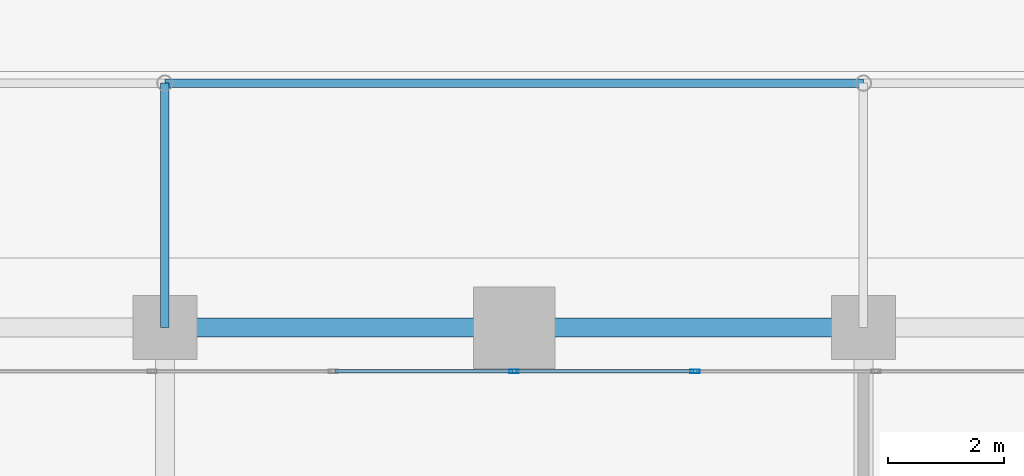
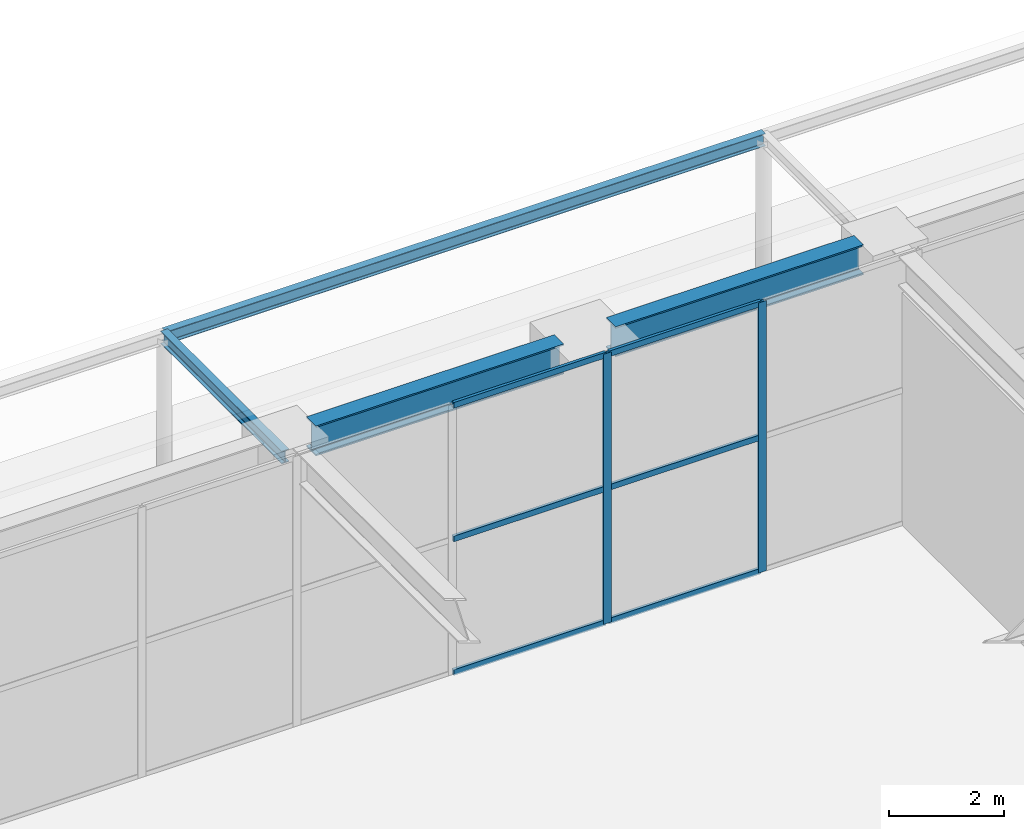
# One storey, part 26 of 49: 8 members, 4 beams, 1 element without a shape of its own.
"""IFC4 building model written with IfcOpenShell, lengths in metres."""

from ifc_helpers import new_model, si_unit, direction, frame, origin, origin_2d, place, context, subcontext, project, spatial, hollow_rectangle, i_section, extrude, material, layer, layer_set, material_profile, profile_set, type_object, element, aggregate, save


model = new_model("IFC4")

# Units and contexts
model_context = context("Model", 3, precision=1e-05, world=origin(), true_north=direction((0.0, 1.0)))
body_context = subcontext(model_context, "Body", "Model", "MODEL_VIEW")
ifc_project = project(units=[si_unit("LENGTHUNIT", "METRE"), si_unit("AREAUNIT", "SQUARE_METRE"), si_unit("VOLUMEUNIT", "CUBIC_METRE"), si_unit("PLANEANGLEUNIT", "RADIAN"), si_unit("MASSUNIT", "GRAM", prefix="KILO")], contexts=[model_context])

# Site, building, storey
site_placement = place(None, origin())
site = spatial("IfcSite", under=ifc_project, at=site_placement, CompositionType="ELEMENT")
building_placement = place(site_placement, origin())
building = spatial("IfcBuilding", under=site, at=building_placement, Name="Sarneth Arch Tower", CompositionType="ELEMENT")
storey_placement = place(building_placement, origin())
storey = spatial("IfcBuildingStorey", under=building, at=storey_placement, Name="L00", CompositionType="ELEMENT", Elevation=0.0)

# Beams
ifc_material_1 = material(Name="Steel S355", Category="steel")
ifc_material_profile_1 = material_profile(ifc_material_1, i_section(OverallWidth=0.14794921875, OverallDepth=0.26611328125, WebThickness=0.007568359375, FlangeThickness=0.012939453125, FilletRadius=0.012939453125, at=origin_2d()), Name="W250x44.8")
ifc_profile_set_1 = profile_set([ifc_material_profile_1], Name="Steel S355")
beam_type_1 = type_object("IfcBeamType", Name="BM-JOIST-250", PredefinedType="JOIST", material=ifc_profile_set_1)
beam_1_placement = place(storey_placement, frame((42.0, 74.800048828125, 5.159912109375), z_axis=(0.0, 1.0, 0.0), x_axis=(-1.0, 0.0, 0.0)))
element("IfcBeam", 1, at=beam_1_placement, inside=storey, type_object=beam_type_1, Name="Entrance canopy outrigger beam NORTH.2", PredefinedType="JOIST", context=body_context, shape_type="SweptSolid", body=[
    extrude(i_section(OverallWidth=0.14794921875, OverallDepth=0.26611328125, WebThickness=0.007568359375, FlangeThickness=0.012939453125, FilletRadius=0.012939453125, at=origin_2d()), origin(), (0.0, 0.0, 1.0), 4.199951171875),
])
beam_2_placement = place(storey_placement, frame((42.0, 79.0, 5.159912109375), z_axis=(1.0, 0.0, 0.0), x_axis=(0.0, 1.0, 0.0)))
element("IfcBeam", 2, at=beam_2_placement, inside=storey, type_object=beam_type_1, Name="Entrance canopy edge beam NORTH.2", PredefinedType="JOIST", context=body_context, shape_type="SweptSolid", body=[
    extrude(i_section(OverallWidth=0.14794921875, OverallDepth=0.26611328125, WebThickness=0.007568359375, FlangeThickness=0.012939453125, FilletRadius=0.012939453125, at=origin_2d()), origin(), (0.0, 0.0, 1.0), 12.0),
])
ifc_material_2 = material(Name="Steel S355", Category="steel")
ifc_material_profile_2 = material_profile(ifc_material_2, i_section(OverallWidth=0.3291015625, OverallDepth=0.635009765625, WebThickness=0.017822265625, FlangeThickness=0.031005859375, FilletRadius=0.01904296875, at=origin_2d()), Name="W610x241")
ifc_profile_set_2 = profile_set([ifc_material_profile_2], Name="Steel S355")
beam_type_2 = type_object("IfcBeamType", Name="BM-POD-610", PredefinedType="BEAM", material=ifc_profile_set_2)
for number, where, z_axis, x_axis, name in (
    (3, (42.52001953125, 74.800048828125, 5.402587890625), (1.0, 0.0, 0.0), (0.0, 1.0, 0.0), "L00 Podium PN girder 4"),
    (4, (48.52001953125, 74.800048828125, 5.402587890625), (1.0, 0.0, 0.0), (0.0, 1.0, 0.0), "L00 Podium PN girder 5"),
):
    element("IfcBeam", number, at=place(storey_placement, frame(where, z_axis=z_axis, x_axis=x_axis)), inside=storey, type_object=beam_type_2, Name=name, PredefinedType="BEAM", context=body_context, shape_type="SweptSolid", body=[
        extrude(i_section(OverallWidth=0.3291015625, OverallDepth=0.635009765625, WebThickness=0.017822265625, FlangeThickness=0.031005859375, FilletRadius=0.01904296875, at=origin_2d()), origin(), (0.0, 0.0, 1.0), 4.9599609375),
    ])

# Curtain wall, members
ifc_material_3 = material(Name="Anodised aluminium Type AA25 and solar-control low-e laminated IGU", Category="aluminium")
ifc_layer = layer(ifc_material_3, 0.199951171875)
ifc_layer_set = layer_set([ifc_layer], Name="Anodised aluminium Type AA25 and solar-control low-e laminated IGU")
curtain_wall_type = type_object("IfcCurtainWallType", Name="CW-ARCH-GLAZE", PredefinedType="NOTDEFINED", material=ifc_layer_set)
curtain_wall_placement = place(storey_placement, origin())
curtain_wall = element("IfcCurtainWall", 5, at=curtain_wall_placement, inside=storey, type_object=curtain_wall_type, Name="L00 North parabolic arch portal curtain wall", PredefinedType="NOTDEFINED")
ifc_material_4 = material(Name="Anodised Aluminium 6063-T6", Category="aluminium")
ifc_material_profile_3 = material_profile(ifc_material_4, hollow_rectangle(XDim=0.06005859375, YDim=0.159912109375, WallThickness=0.00390625, at=origin_2d()), Name="AL-MULL-160x60x4")
ifc_profile_set_3 = profile_set([ifc_material_profile_3], Name="Anodised Aluminium 6063-T6")
member_type_1 = type_object("IfcMemberType", Name="CW-MULLION", PredefinedType="MULLION", material=ifc_profile_set_3)
member_1_placement = place(storey_placement, frame((51.1083984375, 74.050048828125, 0.0), z_axis=(0.0, 0.0, 1.0), x_axis=(0.0, -1.0, 0.0)))
member_1 = element("IfcMember", 6, at=member_1_placement, type_object=member_type_1, Name="CW-SYS-2 mullion 6", PredefinedType="MULLION", context=body_context, shape_type="SweptSolid", body=[
    extrude(hollow_rectangle(XDim=0.06005859375, YDim=0.159912109375, WallThickness=0.00390625, at=origin_2d()), origin(), (0.0, 0.0, 1.0), 5.719970703125),
])
member_2_placement = place(storey_placement, frame((48.0, 74.050048828125, 0.0), z_axis=(0.0, 0.0, 1.0), x_axis=(0.0, -1.0, 0.0)))
member_2 = element("IfcMember", 7, at=member_2_placement, type_object=member_type_1, Name="CW-SYS-2 mullion 7", PredefinedType="MULLION", context=body_context, shape_type="SweptSolid", body=[
    extrude(hollow_rectangle(XDim=0.06005859375, YDim=0.159912109375, WallThickness=0.00390625, at=origin_2d()), origin(), (0.0, 0.0, 1.0), 5.719970703125),
])
ifc_material_5 = material(Name="Anodised Aluminium 6063-T6", Category="aluminium")
ifc_material_profile_4 = material_profile(ifc_material_5, hollow_rectangle(XDim=0.06005859375, YDim=0.1201171875, WallThickness=0.00390625, at=origin_2d()), Name="AL-TRAN-120x60x4")
ifc_profile_set_4 = profile_set([ifc_material_profile_4], Name="Anodised Aluminium 6063-T6")
member_type_2 = type_object("IfcMemberType", Name="CW-TRANSOM", PredefinedType="USERDEFINED", material=ifc_profile_set_4)
member_3_placement = place(storey_placement, frame((51.078369140625, 74.050048828125, 0.030029296875), z_axis=(-1.0, 0.0, 0.0), x_axis=(0.0, -1.0, 0.0)))
member_3 = element("IfcMember", 8, at=member_3_placement, type_object=member_type_2, Name="CW-SYS-2 transom 6.1", ObjectType="TRANSOM", PredefinedType="USERDEFINED", context=body_context, shape_type="SweptSolid", body=[
    extrude(hollow_rectangle(XDim=0.06005859375, YDim=0.1201171875, WallThickness=0.00390625, at=origin_2d()), origin(), (0.0, 0.0, 1.0), 3.04833984375),
])
member_4_placement = place(storey_placement, frame((51.078369140625, 74.050048828125, 2.860107421875), z_axis=(-1.0, 0.0, 0.0), x_axis=(0.0, -1.0, 0.0)))
member_4 = element("IfcMember", 9, at=member_4_placement, type_object=member_type_2, Name="CW-SYS-2 transom 6.2", ObjectType="TRANSOM", PredefinedType="USERDEFINED", context=body_context, shape_type="SweptSolid", body=[
    extrude(hollow_rectangle(XDim=0.06005859375, YDim=0.1201171875, WallThickness=0.00390625, at=origin_2d()), origin(), (0.0, 0.0, 1.0), 3.04833984375),
])
member_5_placement = place(storey_placement, frame((51.078369140625, 74.050048828125, 5.68994140625), z_axis=(-1.0, 0.0, 0.0), x_axis=(0.0, -1.0, 0.0)))
member_5 = element("IfcMember", 10, at=member_5_placement, type_object=member_type_2, Name="CW-SYS-2 transom 6.3", ObjectType="TRANSOM", PredefinedType="USERDEFINED", context=body_context, shape_type="SweptSolid", body=[
    extrude(hollow_rectangle(XDim=0.06005859375, YDim=0.1201171875, WallThickness=0.00390625, at=origin_2d()), origin(), (0.0, 0.0, 1.0), 3.04833984375),
])
member_6_placement = place(storey_placement, frame((47.969970703125, 74.050048828125, 0.030029296875), z_axis=(-1.0, 0.0, 0.0), x_axis=(0.0, -1.0, 0.0)))
member_6 = element("IfcMember", 11, at=member_6_placement, type_object=member_type_2, Name="CW-SYS-2 transom 7.1", ObjectType="TRANSOM", PredefinedType="USERDEFINED", context=body_context, shape_type="SweptSolid", body=[
    extrude(hollow_rectangle(XDim=0.06005859375, YDim=0.1201171875, WallThickness=0.00390625, at=origin_2d()), origin(), (0.0, 0.0, 1.0), 3.04833984375),
])
member_7_placement = place(storey_placement, frame((47.969970703125, 74.050048828125, 2.860107421875), z_axis=(-1.0, 0.0, 0.0), x_axis=(0.0, -1.0, 0.0)))
member_7 = element("IfcMember", 12, at=member_7_placement, type_object=member_type_2, Name="CW-SYS-2 transom 7.2", ObjectType="TRANSOM", PredefinedType="USERDEFINED", context=body_context, shape_type="SweptSolid", body=[
    extrude(hollow_rectangle(XDim=0.06005859375, YDim=0.1201171875, WallThickness=0.00390625, at=origin_2d()), origin(), (0.0, 0.0, 1.0), 3.04833984375),
])
member_8_placement = place(storey_placement, frame((47.969970703125, 74.050048828125, 5.68994140625), z_axis=(-1.0, 0.0, 0.0), x_axis=(0.0, -1.0, 0.0)))
member_8 = element("IfcMember", 13, at=member_8_placement, type_object=member_type_2, Name="CW-SYS-2 transom 7.3", ObjectType="TRANSOM", PredefinedType="USERDEFINED", context=body_context, shape_type="SweptSolid", body=[
    extrude(hollow_rectangle(XDim=0.06005859375, YDim=0.1201171875, WallThickness=0.00390625, at=origin_2d()), origin(), (0.0, 0.0, 1.0), 3.04833984375),
])
aggregate(curtain_wall, [member_1, member_2, member_3, member_4, member_5, member_6, member_7, member_8])

save(model, "model.ifc")
